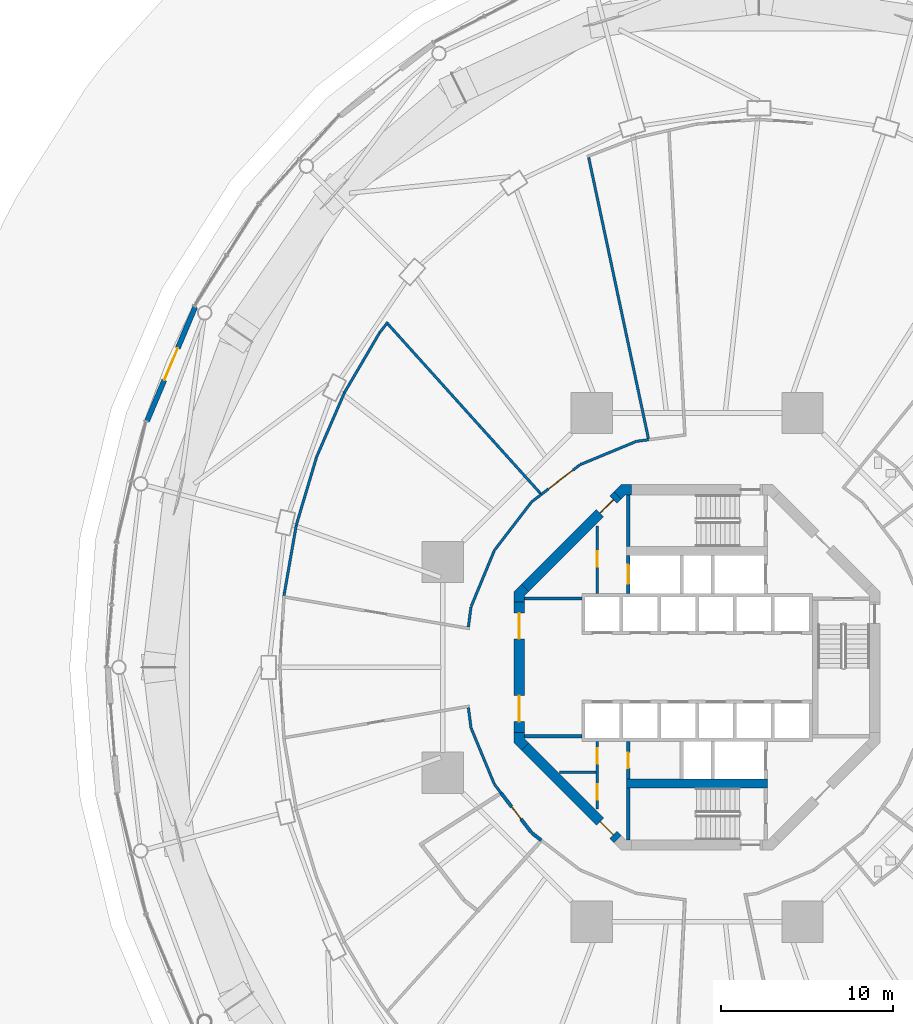
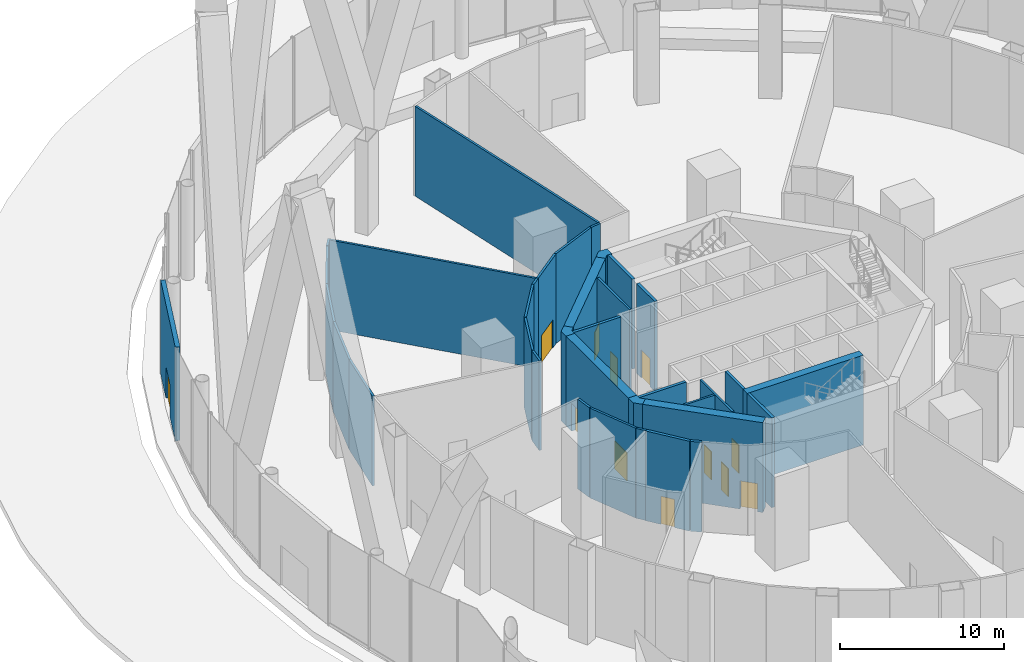
# One storey, part 59 of 67: 36 walls, 12 doors, 12 openings.
"""IFC4 building model written with IfcOpenShell, lengths in metres."""

from ifc_helpers import new_model, si_unit, direction, frame, frame_2d, origin, place, context, subcontext, project, spatial, polyline, rectangle, outline, extrude, material, layer, layer_set, type_object, element, fill, save


model = new_model("IFC4")

# Units and contexts
model_context = context("Model", 3, precision=1e-05, world=origin(), true_north=direction((0.0, 1.0)))
body_context = subcontext(model_context, "Body", "Model", "MODEL_VIEW")
ifc_project = project(units=[si_unit("LENGTHUNIT", "METRE"), si_unit("AREAUNIT", "SQUARE_METRE"), si_unit("VOLUMEUNIT", "CUBIC_METRE"), si_unit("PLANEANGLEUNIT", "RADIAN"), si_unit("MASSUNIT", "GRAM", prefix="KILO")], contexts=[model_context])

# Site, building, storey
site_placement = place(None, origin())
site = spatial("IfcSite", under=ifc_project, at=site_placement, CompositionType="ELEMENT")
building_placement = place(site_placement, origin())
building = spatial("IfcBuilding", under=site, at=building_placement, Name="Nagisa Residences", CompositionType="ELEMENT")
storey_placement = place(building_placement, origin())
storey = spatial("IfcBuildingStorey", under=building, at=storey_placement, Name="L00", CompositionType="ELEMENT", Elevation=0.0)

# Wall, opening, door
ifc_material_1 = material(Name="Gypsum board on steel studs", Category="steel")
ifc_layer_1 = layer(ifc_material_1, 0.14990234375)
ifc_layer_set_1 = layer_set([ifc_layer_1], Name="Core partition 150")
wall_type_1 = type_object("IfcWallType", Name="Core partition 150", PredefinedType="PARTITIONING", material=ifc_layer_set_1)
wall_1_placement = place(storey_placement, frame((-5.800048828125, 4.300048828125, 0.0), z_axis=(0.0, 0.0, 1.0), x_axis=(0.0, 1.0, 0.0)))
wall_1 = element("IfcWall", 1, at=wall_1_placement, inside=storey, type_object=wall_type_1, Name="wall:L00:NWp", PredefinedType="PARTITIONING", context=body_context, shape_type="SweptSolid", body=[
    extrude(rectangle(XDim=3.927001953125, YDim=0.14990234375, at=frame_2d((1.96337890625, 0.0))), origin(), (0.0, 0.0, 1.0), 6.699951171875),
])
opening_1_placement = place(wall_1_placement, frame((1.551025390625, 0.0, 0.0)))
opening_1 = element("IfcOpeningElement", 2, at=opening_1_placement, cuts=wall_1, Name="Opening L00-C19", PredefinedType="OPENING", context=body_context, shape_type="SweptSolid", body=[
    extrude(rectangle(XDim=0.89990234375, YDim=2.10009765625, at=frame_2d((0.449951171875, 1.050048828125))), frame((0.0, 0.0849609375, 0.0), z_axis=(0.0, -1.0, 0.0), x_axis=(1.0, 0.0, 0.0)), (0.0, 0.0, 1.0), 0.169921875),
])
ifc_material_2 = material(Name="Steel fire door", Category="steel")
door_type_1 = type_object("IfcDoorType", Name="Fire door EI30 900x2100 single swing", OperationType="NOTDEFINED", PredefinedType="DOOR", material=ifc_material_2)
door_1_placement = place(opening_1_placement, origin())
door_1 = element("IfcDoor", 3, at=door_1_placement, inside=storey, type_object=door_type_1, Name="Staff WC door L00", OperationType="SINGLE_SWING_RIGHT", OverallHeight=2.10009765625, OverallWidth=0.89990234375, PredefinedType="DOOR", context=body_context, shape_type="SweptSolid", body=[
    extrude(rectangle(XDim=0.89990234375, YDim=2.10009765625, at=frame_2d((0.449951171875, 1.050048828125))), frame((0.0, 0.02490234375, 0.0), z_axis=(0.0, -1.0, 0.0), x_axis=(1.0, 0.0, 0.0)), (0.0, 0.0, 1.0), 0.050048828125),
])
fill(opening_1, door_1)

# Wall, openings, doors
wall_2_placement = place(storey_placement, frame((-5.800048828125, -8.22705078125, 0.0), z_axis=(0.0, 0.0, 1.0), x_axis=(0.0, 1.0, 0.0)))
wall_2 = element("IfcWall", 4, at=wall_2_placement, inside=storey, type_object=wall_type_1, Name="wall:L00:SWp", PredefinedType="PARTITIONING", context=body_context, shape_type="SweptSolid", body=[
    extrude(rectangle(XDim=3.927001953125, YDim=0.14990234375, at=frame_2d((1.96337890625, 0.0))), origin(), (0.0, 0.0, 1.0), 6.699951171875),
])
opening_2_placement = place(wall_2_placement, frame((2.614501953125, 0.0, 0.0)))
opening_2 = element("IfcOpeningElement", 5, at=opening_2_placement, cuts=wall_2, Name="Opening L00-C20", PredefinedType="OPENING", context=body_context, shape_type="SweptSolid", body=[
    extrude(rectangle(XDim=0.89990234375, YDim=2.10009765625, at=frame_2d((0.449951171875, 1.050048828125))), frame((0.0, 0.0849609375, 0.0), z_axis=(0.0, -1.0, 0.0), x_axis=(1.0, 0.0, 0.0)), (0.0, 0.0, 1.0), 0.169921875),
])
opening_3_placement = place(wall_2_placement, frame((0.53857421875, 0.0, 0.0)))
opening_3 = element("IfcOpeningElement", 6, at=opening_3_placement, cuts=wall_2, Name="Opening L00-C21", PredefinedType="OPENING", context=body_context, shape_type="SweptSolid", body=[
    extrude(rectangle(XDim=0.89990234375, YDim=2.10009765625, at=frame_2d((0.449951171875, 1.050048828125))), frame((0.0, 0.0849609375, 0.0), z_axis=(0.0, -1.0, 0.0), x_axis=(1.0, 0.0, 0.0)), (0.0, 0.0, 1.0), 0.169921875),
])
door_2_placement = place(opening_2_placement, origin())
door_2 = element("IfcDoor", 7, at=door_2_placement, inside=storey, type_object=door_type_1, Name="Telecom room door L00", OperationType="SINGLE_SWING_RIGHT", OverallHeight=2.10009765625, OverallWidth=0.89990234375, PredefinedType="DOOR", context=body_context, shape_type="SweptSolid", body=[
    extrude(rectangle(XDim=0.89990234375, YDim=2.10009765625, at=frame_2d((0.449951171875, 1.050048828125))), frame((0.0, 0.02490234375, 0.0), z_axis=(0.0, -1.0, 0.0), x_axis=(1.0, 0.0, 0.0)), (0.0, 0.0, 1.0), 0.050048828125),
])
fill(opening_2, door_2)
door_3_placement = place(opening_3_placement, origin())
door_3 = element("IfcDoor", 8, at=door_3_placement, inside=storey, type_object=door_type_1, Name="Linen store door L00", OperationType="SINGLE_SWING_RIGHT", OverallHeight=2.10009765625, OverallWidth=0.89990234375, PredefinedType="DOOR", context=body_context, shape_type="SweptSolid", body=[
    extrude(rectangle(XDim=0.89990234375, YDim=2.10009765625, at=frame_2d((0.449951171875, 1.050048828125))), frame((0.0, 0.02490234375, 0.0), z_axis=(0.0, -1.0, 0.0), x_axis=(1.0, 0.0, 0.0)), (0.0, 0.0, 1.0), 0.050048828125),
])
fill(opening_3, door_3)

# Walls
wall_3_placement = place(storey_placement, frame((-8.0009765625, -6.10009765625, 0.0), z_axis=(0.0, 0.0, 1.0), x_axis=(1.0, 0.0, 0.0)))
element("IfcWall", 9, at=wall_3_placement, inside=storey, type_object=wall_type_1, Name="wall:L00:SWq", PredefinedType="PARTITIONING", context=body_context, shape_type="SweptSolid", body=[
    extrude(rectangle(XDim=2.1259765625, YDim=0.14990234375, at=frame_2d((1.06298828125, 0.0))), origin(), (0.0, 0.0, 1.0), 6.699951171875),
])
ifc_material_3 = material(Name="Gypsum board on steel studs", Category="steel")
ifc_layer_2 = layer(ifc_material_3, 0.199951171875)
ifc_layer_set_2 = layer_set([ifc_layer_2], Name="Core partition 200")
wall_type_2 = type_object("IfcWallType", Name="Core partition 200", PredefinedType="PARTITIONING", material=ifc_layer_set_2)
for number, where, z_axis, x_axis, name in (
    (10, (-10.024658203125, -4.0, 0.0), (0.0, 0.0, 1.0), (1.0, 0.0, 0.0), "wall:L00:PSW"),
    (11, (-10.024658203125, 4.0, 0.0), (0.0, 0.0, 1.0), (1.0, 0.0, 0.0), "wall:L00:PNW"),
):
    element("IfcWall", number, at=place(storey_placement, frame(where, z_axis=z_axis, x_axis=x_axis)), inside=storey, type_object=wall_type_2, Name=name, PredefinedType="PARTITIONING", context=body_context, shape_type="SweptSolid", body=[
        extrude(rectangle(XDim=3.32470703125, YDim=0.199951171875, at=frame_2d((1.662353515625, 0.0))), origin(), (0.0, 0.0, 1.0), 6.699951171875),
    ])

# Wall, opening, door
ifc_material_4 = material(Name="Concrete C60", Category="concrete")
ifc_layer_3 = layer(ifc_material_4, 0.60009765625)
ifc_layer_set_3 = layer_set([ifc_layer_3], Name="Core shear wall 600")
wall_type_3 = type_object("IfcWallType", Name="Core shear wall 600", PredefinedType="SHEAR", material=ifc_layer_set_3)
wall_4_placement = place(storey_placement, frame((-4.613037109375, 9.98828125, 0.0), z_axis=(0.0, 0.0, 1.0), x_axis=(-0.707106781187, -0.707106781187, 0.0)))
wall_4 = element("IfcWall", 12, at=wall_4_placement, inside=storey, type_object=wall_type_3, Name="wall:L00:core:flat3", PredefinedType="SHEAR", context=body_context, shape_type="SweptSolid", body=[
    extrude(rectangle(XDim=7.601806640625, YDim=0.60009765625, at=frame_2d((3.80078125, 0.0))), origin(), (0.0, 0.0, 1.0), 6.699951171875),
])
opening_4_placement = place(wall_4_placement, frame((0.350830078125, 0.0, 0.0)))
opening_4 = element("IfcOpeningElement", 13, at=opening_4_placement, cuts=wall_4, Name="Opening L00-C27", PredefinedType="OPENING", context=body_context, shape_type="SweptSolid", body=[
    extrude(rectangle(XDim=1.10009765625, YDim=2.10009765625, at=frame_2d((0.550048828125, 1.050048828125))), frame((0.0, 0.31005859375, 0.0), z_axis=(0.0, -1.0, 0.0), x_axis=(1.0, 0.0, 0.0)), (0.0, 0.0, 1.0), 0.6201171875),
])
ifc_material_5 = material(Name="Steel fire door", Category="steel")
door_type_2 = type_object("IfcDoorType", Name="Fire door EI60 1100x2100 single swing", OperationType="NOTDEFINED", PredefinedType="DOOR", material=ifc_material_5)
door_4_placement = place(opening_4_placement, origin())
door_4 = element("IfcDoor", 14, at=door_4_placement, inside=storey, type_object=door_type_2, Name="Service lobby door L00", OperationType="SINGLE_SWING_LEFT", OverallHeight=2.10009765625, OverallWidth=1.10009765625, PredefinedType="DOOR", context=body_context, shape_type="SweptSolid", body=[
    extrude(rectangle(XDim=1.10009765625, YDim=2.10009765625, at=frame_2d((0.550048828125, 1.050048828125))), frame((0.0, 0.02490234375, 0.0), z_axis=(0.0, -1.0, 0.0), x_axis=(1.0, 0.0, 0.0)), (0.0, 0.0, 1.0), 0.050048828125),
])
fill(opening_4, door_4)

# Wall, openings, doors
wall_5_placement = place(storey_placement, frame((-10.32470703125, 3.80078125, 0.0), z_axis=(0.0, 0.0, 1.0), x_axis=(0.0, -1.0, 0.0)))
wall_5 = element("IfcWall", 15, at=wall_5_placement, inside=storey, type_object=wall_type_3, Name="wall:L00:core:flat4", PredefinedType="SHEAR", context=body_context, shape_type="SweptSolid", body=[
    extrude(rectangle(XDim=7.6015625, YDim=0.60009765625, at=frame_2d((3.80078125, 0.0))), origin(), (0.0, 0.0, 1.0), 6.699951171875),
])
opening_5_placement = place(wall_5_placement, frame((0.65087890625, 0.0, 0.0)))
opening_5 = element("IfcOpeningElement", 16, at=opening_5_placement, cuts=wall_5, Name="Opening L00-C25", PredefinedType="OPENING", context=body_context, shape_type="SweptSolid", body=[
    extrude(rectangle(XDim=1.5, YDim=2.10009765625, at=frame_2d((0.75, 1.050048828125))), frame((0.0, 0.31005859375, 0.0), z_axis=(0.0, -1.0, 0.0), x_axis=(1.0, 0.0, 0.0)), (0.0, 0.0, 1.0), 0.6201171875),
])
opening_6_placement = place(wall_5_placement, frame((5.450927734375, 0.0, 0.0)))
opening_6 = element("IfcOpeningElement", 17, at=opening_6_placement, cuts=wall_5, Name="Opening L00-C26", PredefinedType="OPENING", context=body_context, shape_type="SweptSolid", body=[
    extrude(rectangle(XDim=1.5, YDim=2.10009765625, at=frame_2d((0.75, 1.050048828125))), frame((0.0, 0.31005859375, 0.0), z_axis=(0.0, -1.0, 0.0), x_axis=(1.0, 0.0, 0.0)), (0.0, 0.0, 1.0), 0.6201171875),
])
ifc_material_6 = material(Name="Steel fire door", Category="steel")
door_type_3 = type_object("IfcDoorType", Name="Fire door EI60 1500x2100 double door single swing", OperationType="DOUBLE_DOOR_SINGLE_SWING", PredefinedType="DOOR", material=ifc_material_6)
door_5_placement = place(opening_5_placement, origin())
door_5 = element("IfcDoor", 18, at=door_5_placement, inside=storey, type_object=door_type_3, Name="Lift lobby door L00 1", OperationType="DOUBLE_DOOR_SINGLE_SWING", OverallHeight=2.10009765625, OverallWidth=1.5, PredefinedType="DOOR", context=body_context, shape_type="SweptSolid", body=[
    extrude(rectangle(XDim=1.5, YDim=2.10009765625, at=frame_2d((0.75, 1.050048828125))), frame((0.0, 0.02490234375, 0.0), z_axis=(0.0, -1.0, 0.0), x_axis=(1.0, 0.0, 0.0)), (0.0, 0.0, 1.0), 0.050048828125),
])
fill(opening_5, door_5)
door_6_placement = place(opening_6_placement, origin())
door_6 = element("IfcDoor", 19, at=door_6_placement, inside=storey, type_object=door_type_3, Name="Lift lobby door L00 2", OperationType="DOUBLE_DOOR_SINGLE_SWING", OverallHeight=2.10009765625, OverallWidth=1.5, PredefinedType="DOOR", context=body_context, shape_type="SweptSolid", body=[
    extrude(rectangle(XDim=1.5, YDim=2.10009765625, at=frame_2d((0.75, 1.050048828125))), frame((0.0, 0.02490234375, 0.0), z_axis=(0.0, -1.0, 0.0), x_axis=(1.0, 0.0, 0.0)), (0.0, 0.0, 1.0), 0.050048828125),
])
fill(opening_6, door_6)

# Wall, opening, door
wall_6_placement = place(storey_placement, frame((-9.98828125, -4.613037109375, 0.0), z_axis=(0.0, 0.0, 1.0), x_axis=(0.707106781187, -0.707106781187, 0.0)))
wall_6 = element("IfcWall", 20, at=wall_6_placement, inside=storey, type_object=wall_type_3, Name="wall:L00:core:flat5", PredefinedType="SHEAR", context=body_context, shape_type="SweptSolid", body=[
    extrude(rectangle(XDim=7.601806640625, YDim=0.60009765625, at=frame_2d((3.80078125, 0.0))), origin(), (0.0, 0.0, 1.0), 6.699951171875),
])
opening_7_placement = place(wall_6_placement, frame((6.15087890625, 0.0, 0.0)))
opening_7 = element("IfcOpeningElement", 21, at=opening_7_placement, cuts=wall_6, Name="Opening L00-C28", PredefinedType="OPENING", context=body_context, shape_type="SweptSolid", body=[
    extrude(rectangle(XDim=1.10009765625, YDim=2.10009765625, at=frame_2d((0.550048828125, 1.050048828125))), frame((0.0, 0.31005859375, 0.0), z_axis=(0.0, -1.0, 0.0), x_axis=(1.0, 0.0, 0.0)), (0.0, 0.0, 1.0), 0.6201171875),
])
door_7_placement = place(opening_7_placement, origin())
door_7 = element("IfcDoor", 22, at=door_7_placement, inside=storey, type_object=door_type_2, Name="Housekeeping lobby door L00", OperationType="SINGLE_SWING_LEFT", OverallHeight=2.10009765625, OverallWidth=1.10009765625, PredefinedType="DOOR", context=body_context, shape_type="SweptSolid", body=[
    extrude(rectangle(XDim=1.10009765625, YDim=2.10009765625, at=frame_2d((0.550048828125, 1.050048828125))), frame((0.0, 0.02490234375, 0.0), z_axis=(0.0, -1.0, 0.0), x_axis=(1.0, 0.0, 0.0)), (0.0, 0.0, 1.0), 0.050048828125),
])
fill(opening_7, door_7)

# Walls
wall_7_placement = place(storey_placement, origin())
element("IfcWall", 23, at=wall_7_placement, inside=storey, type_object=wall_type_3, Name="wall:L00:core:pier4", PredefinedType="SHEAR", context=body_context, shape_type="SweptSolid", body=[
    extrude(outline(polyline([(-10.62451171875, -3.80078125), (-10.024658203125, -3.80078125), (-10.024658203125, -4.15234375), (-9.776123046875, -4.40087890625), (-10.200439453125, -4.8251953125), (-10.62451171875, -4.40087890625), (-10.62451171875, -3.80078125)])), origin(), (0.0, 0.0, 1.0), 6.699951171875),
])
wall_8_placement = place(storey_placement, origin())
element("IfcWall", 24, at=wall_8_placement, inside=storey, type_object=wall_type_3, Name="wall:L00:core:pier3", PredefinedType="SHEAR", context=body_context, shape_type="SweptSolid", body=[
    extrude(outline(polyline([(-10.200439453125, 4.8251953125), (-9.776123046875, 4.40087890625), (-10.024658203125, 4.15234375), (-10.024658203125, 3.80078125), (-10.62451171875, 3.80078125), (-10.62451171875, 4.40087890625), (-10.200439453125, 4.8251953125)])), origin(), (0.0, 0.0, 1.0), 6.699951171875),
])
wall_9_placement = place(storey_placement, origin())
element("IfcWall", 25, at=wall_9_placement, inside=storey, type_object=wall_type_3, Name="wall:L00:core:pier2", PredefinedType="SHEAR", context=body_context, shape_type="SweptSolid", body=[
    extrude(outline(polyline([(-3.80078125, 10.62451171875), (-3.80078125, 10.024658203125), (-4.15234375, 10.024658203125), (-4.40087890625, 9.776123046875), (-4.8251953125, 10.200439453125), (-4.40087890625, 10.62451171875), (-3.80078125, 10.62451171875)])), origin(), (0.0, 0.0, 1.0), 6.699951171875),
])

# Wall, opening, door
ifc_material_7 = material(Name="Precast concrete C40/50", Category="concrete")
ifc_layer_4 = layer(ifc_material_7, 0.300048828125)
ifc_layer_set_4 = layer_set([ifc_layer_4], Name="ENTRANCE WALL 300")
wall_type_4 = type_object("IfcWallType", Name="ENTRANCE WALL 300", PredefinedType="SOLIDWALL", material=ifc_layer_set_4)
wall_10_placement = place(storey_placement, frame((-31.97021484375, 14.306640625, 0.0), z_axis=(0.0, 0.0, 1.0), x_axis=(0.388749519877, 0.921343481442, 0.0)))
wall_10 = element("IfcWall", 26, at=wall_10_placement, inside=storey, type_object=wall_type_4, Name="wall:L00:xit15", PredefinedType="SOLIDWALL", context=body_context, shape_type="SweptSolid", body=[
    extrude(rectangle(XDim=7.201416015625, YDim=0.300048828125, at=frame_2d((3.6005859375, 0.0))), origin(), (0.0, 0.0, 1.0), 7.0),
])
opening_8_placement = place(wall_10_placement, frame((2.600830078125, 0.0, 0.0)))
opening_8 = element("IfcOpeningElement", 27, at=opening_8_placement, cuts=wall_10, Name="Opening XD-04", PredefinedType="OPENING", context=body_context, shape_type="SweptSolid", body=[
    extrude(rectangle(XDim=2.0, YDim=2.39990234375, at=frame_2d((1.0, 1.199951171875))), frame((0.0, 0.159912109375, 0.0), z_axis=(0.0, -1.0, 0.0), x_axis=(1.0, 0.0, 0.0)), (0.0, 0.0, 1.0), 0.320068359375),
])
ifc_material_8 = material(Name="Stainless steel and clear glass", Category="steel")
door_type_4 = type_object("IfcDoorType", Name="EXIT DOUBLE DOOR 2000x2400", OperationType="DOUBLE_DOOR_SINGLE_SWING", PredefinedType="DOOR", material=ifc_material_8)
door_8_placement = place(opening_8_placement, origin())
door_8 = element("IfcDoor", 28, at=door_8_placement, inside=storey, type_object=door_type_4, Name="door:L00:xit15", OperationType="DOUBLE_DOOR_SINGLE_SWING", OverallHeight=2.39990234375, OverallWidth=2.0, PredefinedType="DOOR", context=body_context, shape_type="SweptSolid", body=[
    extrude(rectangle(XDim=2.0, YDim=2.39990234375, at=frame_2d((1.0, 1.199951171875))), frame((0.0, 0.02490234375, 0.0), z_axis=(0.0, -1.0, 0.0), x_axis=(1.0, 0.0, 0.0)), (0.0, 0.0, 1.0), 0.050048828125),
])
fill(opening_8, door_8)

ifc_material_9 = material(Name="Concrete C60", Category="concrete")
ifc_layer_5 = layer(ifc_material_9, 0.199951171875)
ifc_layer_set_5 = layer_set([ifc_layer_5], Name="Lift shaft wall 200")
wall_type_5 = type_object("IfcWallType", Name="Lift shaft wall 200", PredefinedType="SOLIDWALL", material=ifc_layer_set_5)
wall_11_placement = place(storey_placement, frame((-4.0, 4.300048828125, 0.0), z_axis=(0.0, 0.0, 1.0), x_axis=(0.0, 1.0, 0.0)))
wall_11 = element("IfcWall", 29, at=wall_11_placement, inside=storey, type_object=wall_type_5, Name="wall:L00:Nb4", PredefinedType="SOLIDWALL", context=body_context, shape_type="SweptSolid", body=[
    extrude(rectangle(XDim=2.199951171875, YDim=0.199951171875, at=frame_2d((1.10009765625, 0.0))), origin(), (0.0, 0.0, 1.0), 6.699951171875),
])
opening_9_placement = place(wall_11_placement, frame((0.550048828125, 0.0, 0.0)))
opening_9 = element("IfcOpeningElement", 30, at=opening_9_placement, cuts=wall_11, Name="Opening L00-C15", PredefinedType="OPENING", context=body_context, shape_type="SweptSolid", body=[
    extrude(rectangle(XDim=1.10009765625, YDim=2.10009765625, at=frame_2d((0.550048828125, 1.050048828125))), frame((0.0, 0.10986328125, 0.0), z_axis=(0.0, -1.0, 0.0), x_axis=(1.0, 0.0, 0.0)), (0.0, 0.0, 1.0), 0.219970703125),
])
ifc_material_10 = material(Name="Stainless steel", Category="steel")
door_type_5 = type_object("IfcDoorType", Name="Lift landing door 1100x2100", OperationType="DOUBLE_DOOR_SLIDING", PredefinedType="DOOR", material=ifc_material_10)
door_9_placement = place(opening_9_placement, origin())
door_9 = element("IfcDoor", 31, at=door_9_placement, inside=storey, type_object=door_type_5, Name="Landing door SV L00", OperationType="DOUBLE_DOOR_SLIDING", OverallHeight=2.10009765625, OverallWidth=1.10009765625, PredefinedType="DOOR", context=body_context, shape_type="SweptSolid", body=[
    extrude(rectangle(XDim=1.10009765625, YDim=2.10009765625, at=frame_2d((0.550048828125, 1.050048828125))), frame((0.0, 0.02490234375, 0.0), z_axis=(0.0, -1.0, 0.0), x_axis=(1.0, 0.0, 0.0)), (0.0, 0.0, 1.0), 0.050048828125),
])
fill(opening_9, door_9)

wall_12_placement = place(storey_placement, frame((-4.0, -6.5, 0.0), z_axis=(0.0, 0.0, 1.0), x_axis=(0.0, 1.0, 0.0)))
wall_12 = element("IfcWall", 32, at=wall_12_placement, inside=storey, type_object=wall_type_5, Name="wall:L00:Sb4", PredefinedType="SOLIDWALL", context=body_context, shape_type="SweptSolid", body=[
    extrude(rectangle(XDim=2.199951171875, YDim=0.199951171875, at=frame_2d((1.10009765625, 0.0))), origin(), (0.0, 0.0, 1.0), 6.699951171875),
])
opening_10_placement = place(wall_12_placement, frame((0.64990234375, 0.0, 0.0)))
opening_10 = element("IfcOpeningElement", 33, at=opening_10_placement, cuts=wall_12, Name="Opening L00-C22", PredefinedType="OPENING", context=body_context, shape_type="SweptSolid", body=[
    extrude(rectangle(XDim=0.89990234375, YDim=2.10009765625, at=frame_2d((0.449951171875, 1.050048828125))), frame((0.0, 0.10986328125, 0.0), z_axis=(0.0, -1.0, 0.0), x_axis=(1.0, 0.0, 0.0)), (0.0, 0.0, 1.0), 0.219970703125),
])
door_10_placement = place(opening_10_placement, frame((0.89990234375, 0.0, 0.0), x_axis=(-1.0, 0.0, 0.0)))
door_10 = element("IfcDoor", 34, at=door_10_placement, inside=storey, type_object=door_type_1, Name="Refuse room door L00", OperationType="SINGLE_SWING_RIGHT", OverallHeight=2.10009765625, OverallWidth=0.89990234375, PredefinedType="DOOR", context=body_context, shape_type="SweptSolid", body=[
    extrude(rectangle(XDim=0.89990234375, YDim=2.10009765625, at=frame_2d((0.449951171875, 1.050048828125))), frame((0.0, 0.02490234375, 0.0), z_axis=(0.0, -1.0, 0.0), x_axis=(1.0, 0.0, 0.0)), (0.0, 0.0, 1.0), 0.050048828125),
])
fill(opening_10, door_10)

ifc_material_11 = material(Name="Gypsum board on steel studs", Category="steel")
ifc_layer_6 = layer(ifc_material_11, 0.199951171875)
ifc_layer_set_6 = layer_set([ifc_layer_6], Name="Plant room wall EI120 200")
wall_type_6 = type_object("IfcWallType", Name="Plant room wall EI120 200", PredefinedType="PARTITIONING", material=ifc_layer_set_6)
wall_13_placement = place(storey_placement, frame((-11.390380859375, -7.30517578125, 0.0), z_axis=(0.0, 0.0, 1.0), x_axis=(0.60873741789, -0.793371764094, 0.0)))
wall_13 = element("IfcWall", 35, at=wall_13_placement, inside=storey, type_object=wall_type_6, Name="wall:L00:am085", PredefinedType="PARTITIONING", context=body_context, shape_type="SweptSolid", body=[
    extrude(rectangle(XDim=2.8984375, YDim=0.199951171875, at=frame_2d((1.44921875, 0.0))), origin(), (0.0, 0.0, 1.0), 6.699951171875),
])
opening_11_placement = place(wall_13_placement, frame((1.0068359375, 0.0, 0.0)))
opening_11 = element("IfcOpeningElement", 36, at=opening_11_placement, cuts=wall_13, Name="Opening L00-A06", PredefinedType="OPENING", context=body_context, shape_type="SweptSolid", body=[
    extrude(rectangle(XDim=0.89990234375, YDim=2.10009765625, at=frame_2d((0.449951171875, 1.050048828125))), frame((0.0, 0.10986328125, 0.0), z_axis=(0.0, -1.0, 0.0), x_axis=(1.0, 0.0, 0.0)), (0.0, 0.0, 1.0), 0.219970703125),
])
ifc_material_12 = material(Name="Steel fire door", Category="steel")
door_type_6 = type_object("IfcDoorType", Name="Fire door EI120 900x2100 single swing", OperationType="NOTDEFINED", PredefinedType="DOOR", material=ifc_material_12)
door_11_placement = place(opening_11_placement, frame((0.89990234375, 0.0, 0.0), x_axis=(-1.0, 0.0, 0.0)))
door_11 = element("IfcDoor", 37, at=door_11_placement, inside=storey, type_object=door_type_6, Name="Fire command room door", OperationType="SINGLE_SWING_LEFT", OverallHeight=2.10009765625, OverallWidth=0.89990234375, PredefinedType="DOOR", context=body_context, shape_type="SweptSolid", body=[
    extrude(rectangle(XDim=0.89990234375, YDim=2.10009765625, at=frame_2d((0.449951171875, 1.050048828125))), frame((0.0, 0.02490234375, 0.0), z_axis=(0.0, -1.0, 0.0), x_axis=(1.0, 0.0, 0.0)), (0.0, 0.0, 1.0), 0.050048828125),
])
fill(opening_11, door_11)

# Walls
wall_14_placement = place(storey_placement, frame((-9.604736328125, -9.6259765625, 0.0), z_axis=(0.0, 0.0, 1.0), x_axis=(0.793454504248, -0.608629566887, 0.0)))
element("IfcWall", 38, at=wall_14_placement, inside=storey, type_object=wall_type_6, Name="wall:L00:am086", PredefinedType="PARTITIONING", context=body_context, shape_type="SweptSolid", body=[
    extrude(rectangle(XDim=0.69873046875, YDim=0.199951171875, at=frame_2d((0.349365234375, 0.0))), origin(), (0.0, 0.0, 1.0), 6.699951171875),
])
ifc_material_13 = material(Name="Gypsum board on steel studs", Category="steel")
ifc_layer_7 = layer(ifc_material_13, 0.14990234375)
ifc_layer_set_7 = layer_set([ifc_layer_7], Name="Room partition EI60 150")
wall_type_7 = type_object("IfcWallType", Name="Room partition EI60 150", PredefinedType="PARTITIONING", material=ifc_layer_set_7)
wall_15_placement = place(storey_placement, frame((-24.007568359375, 4.1748046875, 0.0), z_axis=(0.0, 0.0, 1.0), x_axis=(0.172163826112, 0.985068331122, 0.0)))
element("IfcWall", 39, at=wall_15_placement, inside=storey, type_object=wall_type_7, Name="wall:L00:am003", PredefinedType="PARTITIONING", context=body_context, shape_type="SweptSolid", body=[
    extrude(rectangle(XDim=4.15771484375, YDim=0.14990234375, at=frame_2d((2.078857421875, 0.0))), origin(), (0.0, 0.0, 1.0), 6.699951171875),
])
wall_16_placement = place(storey_placement, frame((-23.288818359375, 8.28271484375, 0.0), z_axis=(0.0, 0.0, 1.0), x_axis=(0.285840471929, 0.958277216993, 0.0)))
element("IfcWall", 40, at=wall_16_placement, inside=storey, type_object=wall_type_7, Name="wall:L00:am005", PredefinedType="PARTITIONING", context=body_context, shape_type="SweptSolid", body=[
    extrude(rectangle(XDim=4.116943359375, YDim=0.14990234375, at=frame_2d((2.05859375, 0.0))), origin(), (0.0, 0.0, 1.0), 6.699951171875),
])
wall_17_placement = place(storey_placement, frame((-22.107421875, 12.239990234375, 0.0), z_axis=(0.0, 0.0, 1.0), x_axis=(0.39758890863, 0.917563654323, 0.0)))
element("IfcWall", 41, at=wall_17_placement, inside=storey, type_object=wall_type_7, Name="wall:L00:am007", PredefinedType="PARTITIONING", context=body_context, shape_type="SweptSolid", body=[
    extrude(rectangle(XDim=4.0673828125, YDim=0.14990234375, at=frame_2d((2.03369140625, 0.0))), origin(), (0.0, 0.0, 1.0), 6.699951171875),
])
wall_18_placement = place(storey_placement, frame((-20.484130859375, 15.98388671875, 0.0), z_axis=(0.0, 0.0, 1.0), x_axis=(0.50633554765, 0.86233654288, 0.0)))
element("IfcWall", 42, at=wall_18_placement, inside=storey, type_object=wall_type_7, Name="wall:L00:am009", PredefinedType="PARTITIONING", context=body_context, shape_type="SweptSolid", body=[
    extrude(rectangle(XDim=4.00634765625, YDim=0.14990234375, at=frame_2d((2.003173828125, 0.0))), origin(), (0.0, 0.0, 1.0), 6.699951171875),
])
wall_19_placement = place(storey_placement, frame((-18.447998046875, 19.44970703125, 0.0), z_axis=(0.0, 0.0, 1.0), x_axis=(0.610328517632, 0.792148408169, 0.0)))
element("IfcWall", 43, at=wall_19_placement, inside=storey, type_object=wall_type_7, Name="wall:L00:am011", PredefinedType="PARTITIONING", context=body_context, shape_type="SweptSolid", body=[
    extrude(rectangle(XDim=0.78271484375, YDim=0.14990234375, at=frame_2d((0.391357421875, 0.0))), origin(), (0.0, 0.0, 1.0), 6.699951171875),
])
wall_20_placement = place(storey_placement, frame((-17.965576171875, 19.952880859375, 0.0), z_axis=(0.0, 0.0, 1.0), x_axis=(0.669125575908, -0.743149354885, 0.0)))
element("IfcWall", 44, at=wall_20_placement, inside=storey, type_object=wall_type_7, Name="wall:L00:am013", PredefinedType="PARTITIONING", context=body_context, shape_type="SweptSolid", body=[
    extrude(rectangle(XDim=13.24853515625, YDim=0.14990234375, at=frame_2d((6.624267578125, 0.0))), origin(), (0.0, 0.0, 1.0), 6.699951171875),
])
for number, where, z_axis, x_axis, name in (
    (45, (-13.29150390625, 2.34423828125, 0.0), (0.0, 0.0, 1.0), (0.130610530264, 0.99143375441, 0.0), "wall:L00:am016"),
    (46, (-13.13818359375, -3.508056640625, 0.0), (0.0, 0.0, 1.0), (-0.130610530264, 0.99143375441, 0.0), "wall:L00:am018"),
):
    element("IfcWall", number, at=place(storey_placement, frame(where, z_axis=z_axis, x_axis=x_axis)), inside=storey, type_object=wall_type_7, Name=name, PredefinedType="PARTITIONING", context=body_context, shape_type="SweptSolid", body=[
        extrude(rectangle(XDim=1.173828125, YDim=0.14990234375, at=frame_2d((0.5869140625, 0.0))), origin(), (0.0, 0.0, 1.0), 6.699951171875),
    ])
for number, where, z_axis, x_axis, name in (
    (47, (-13.132080078125, 3.53076171875, 0.0), (0.0, 0.0, 1.0), (0.382677866108, 0.923881838111, 0.0), "wall:L00:am019"),
    (48, (-11.782470703125, -6.7890625, 0.0), (0.0, 0.0, 1.0), (-0.382677866108, 0.923881838111, 0.0), "wall:L00:am021"),
):
    element("IfcWall", number, at=place(storey_placement, frame(where, z_axis=z_axis, x_axis=x_axis)), inside=storey, type_object=wall_type_7, Name=name, PredefinedType="PARTITIONING", context=body_context, shape_type="SweptSolid", body=[
        extrude(rectangle(XDim=3.52685546875, YDim=0.14990234375, at=frame_2d((1.763427734375, 0.0))), origin(), (0.0, 0.0, 1.0), 6.699951171875),
    ])
wall_21_placement = place(storey_placement, frame((-11.770751953125, 6.809326171875, 0.0), z_axis=(0.0, 0.0, 1.0), x_axis=(0.608736710054, 0.793372307201, 0.0)))
element("IfcWall", 49, at=wall_21_placement, inside=storey, type_object=wall_type_7, Name="wall:L00:am022", PredefinedType="PARTITIONING", context=body_context, shape_type="SweptSolid", body=[
    extrude(rectangle(XDim=3.526611328125, YDim=0.14990234375, at=frame_2d((1.76318359375, 0.0))), origin(), (0.0, 0.0, 1.0), 6.699951171875),
])
wall_22_placement = place(storey_placement, frame((-11.390380859375, -7.30517578125, 0.0), z_axis=(0.0, 0.0, 1.0), x_axis=(-0.608652959463, 0.793436560121, 0.0)))
element("IfcWall", 50, at=wall_22_placement, inside=storey, type_object=wall_type_7, Name="wall:L00:am023", PredefinedType="PARTITIONING", context=body_context, shape_type="SweptSolid", body=[
    extrude(rectangle(XDim=0.625, YDim=0.14990234375, at=frame_2d((0.3125, 0.0))), origin(), (0.0, 0.0, 1.0), 6.699951171875),
])
wall_23_placement = place(storey_placement, frame((-9.607177734375, 9.6240234375, 0.0), z_axis=(0.0, 0.0, 1.0), x_axis=(0.793399175387, 0.608701690893, 0.0)))
element("IfcWall", 51, at=wall_23_placement, inside=storey, type_object=wall_type_7, Name="wall:L00:am025", PredefinedType="PARTITIONING", context=body_context, shape_type="SweptSolid", body=[
    extrude(rectangle(XDim=0.701904296875, YDim=0.14990234375, at=frame_2d((0.35107421875, 0.0))), origin(), (0.0, 0.0, 1.0), 6.699951171875),
])

# Wall, opening, door
wall_24_placement = place(storey_placement, frame((-9.05029296875, 10.05126953125, 0.0), z_axis=(0.0, 0.0, 1.0), x_axis=(0.793365630445, 0.608745411834, 0.0)))
wall_24 = element("IfcWall", 52, at=wall_24_placement, inside=storey, type_object=wall_type_7, Name="wall:L00:am027", PredefinedType="PARTITIONING", context=body_context, shape_type="SweptSolid", body=[
    extrude(rectangle(XDim=2.82470703125, YDim=0.14990234375, at=frame_2d((1.412353515625, 0.0))), origin(), (0.0, 0.0, 1.0), 6.699951171875),
])
opening_12_placement = place(wall_24_placement, frame((0.518310546875, 0.0, 0.0)))
opening_12 = element("IfcOpeningElement", 53, at=opening_12_placement, cuts=wall_24, Name="Opening L00-A04", PredefinedType="OPENING", context=body_context, shape_type="SweptSolid", body=[
    extrude(rectangle(XDim=1.800048828125, YDim=2.10009765625, at=frame_2d((0.89990234375, 1.050048828125))), frame((0.0, 0.0849609375, 0.0), z_axis=(0.0, -1.0, 0.0), x_axis=(1.0, 0.0, 0.0)), (0.0, 0.0, 1.0), 0.169921875),
])
ifc_material_14 = material(Name="Steel fire door", Category="steel")
door_type_7 = type_object("IfcDoorType", Name="Fire door EI30 1800x2100 double door single swing", OperationType="DOUBLE_DOOR_SINGLE_SWING", PredefinedType="DOOR", material=ifc_material_14)
door_12_placement = place(opening_12_placement, origin())
door_12 = element("IfcDoor", 54, at=door_12_placement, inside=storey, type_object=door_type_7, Name="Residents' lounge door", OperationType="DOUBLE_DOOR_SINGLE_SWING", OverallHeight=2.10009765625, OverallWidth=1.800048828125, PredefinedType="DOOR", context=body_context, shape_type="SweptSolid", body=[
    extrude(rectangle(XDim=1.800048828125, YDim=2.10009765625, at=frame_2d((0.89990234375, 1.050048828125))), frame((0.0, 0.02490234375, 0.0), z_axis=(0.0, -1.0, 0.0), x_axis=(1.0, 0.0, 0.0)), (0.0, 0.0, 1.0), 0.050048828125),
])
fill(opening_12, door_12)

# Walls
wall_25_placement = place(storey_placement, frame((-6.7890625, 11.782470703125, 0.0), z_axis=(0.0, 0.0, 1.0), x_axis=(0.923881838111, 0.382677866108, 0.0)))
element("IfcWall", 55, at=wall_25_placement, inside=storey, type_object=wall_type_7, Name="wall:L00:am030", PredefinedType="PARTITIONING", context=body_context, shape_type="SweptSolid", body=[
    extrude(rectangle(XDim=3.52685546875, YDim=0.14990234375, at=frame_2d((1.763427734375, 0.0))), origin(), (0.0, 0.0, 1.0), 6.699951171875),
])
wall_26_placement = place(storey_placement, frame((-3.508056640625, 13.13818359375, 0.0), z_axis=(0.0, 0.0, 1.0), x_axis=(0.991460212813, 0.130409533429, 0.0)))
element("IfcWall", 56, at=wall_26_placement, inside=storey, type_object=wall_type_7, Name="wall:L00:am035", PredefinedType="PARTITIONING", context=body_context, shape_type="SweptSolid", body=[
    extrude(rectangle(XDim=0.7021484375, YDim=0.14990234375, at=frame_2d((0.35107421875, 0.0))), origin(), (0.0, 0.0, 1.0), 6.699951171875),
])
wall_27_placement = place(storey_placement, frame((-2.82763671875, 13.303466796875, 0.0), z_axis=(0.0, 0.0, 1.0), x_axis=(-0.207924325278, 0.978144915111, 0.0)))
element("IfcWall", 57, at=wall_27_placement, inside=storey, type_object=wall_type_7, Name="wall:L00:am036", PredefinedType="PARTITIONING", context=body_context, shape_type="SweptSolid", body=[
    extrude(rectangle(XDim=16.69921875, YDim=0.14990234375, at=frame_2d((8.349609375, 0.0))), origin(), (0.0, 0.0, 1.0), 6.699951171875),
])
ifc_material_15 = material(Name="Concrete C60", Category="concrete")
ifc_layer_8 = layer(ifc_material_15, 0.199951171875)
ifc_layer_set_8 = layer_set([ifc_layer_8], Name="Stair enclosure wall 200")
wall_type_8 = type_object("IfcWallType", Name="Stair enclosure wall 200", PredefinedType="SOLIDWALL", material=ifc_layer_set_8)
wall_28_placement = place(storey_placement, origin())
element("IfcWall", 58, at=wall_28_placement, inside=storey, type_object=wall_type_8, Name="wall:L00:SS_w", PredefinedType="SOLIDWALL", context=body_context, shape_type="SweptSolid", body=[
    extrude(outline(polyline([(-3.89990234375, -10.024658203125), (-4.10009765625, -10.024658203125), (-4.10009765625, -7.024658203125), (-3.89990234375, -7.024658203125), (-3.89990234375, -10.024658203125)])), origin(), (0.0, 0.0, 1.0), 6.699951171875),
])
wall_29_placement = place(storey_placement, origin())
element("IfcWall", 59, at=wall_29_placement, inside=storey, type_object=wall_type_8, Name="wall:L00:SN_w", PredefinedType="SOLIDWALL", context=body_context, shape_type="SweptSolid", body=[
    extrude(outline(polyline([(-3.89990234375, 7.024658203125), (-4.10009765625, 7.024658203125), (-4.10009765625, 10.024658203125), (-3.89990234375, 10.024658203125), (-3.89990234375, 7.024658203125)])), origin(), (0.0, 0.0, 1.0), 6.699951171875),
])
wall_30_placement = place(storey_placement, origin())
element("IfcWall", 60, at=wall_30_placement, inside=storey, type_object=wall_type_8, Name="wall:L00:SS_n", PredefinedType="SOLIDWALL", context=body_context, shape_type="SweptSolid", body=[
    extrude(outline(polyline([(4.10009765625, -7.024658203125), (-4.10009765625, -7.024658203125), (-4.10009765625, -6.5), (4.10009765625, -6.5), (4.10009765625, -7.024658203125)])), origin(), (0.0, 0.0, 1.0), 6.699951171875),
])

save(model, "model.ifc")
